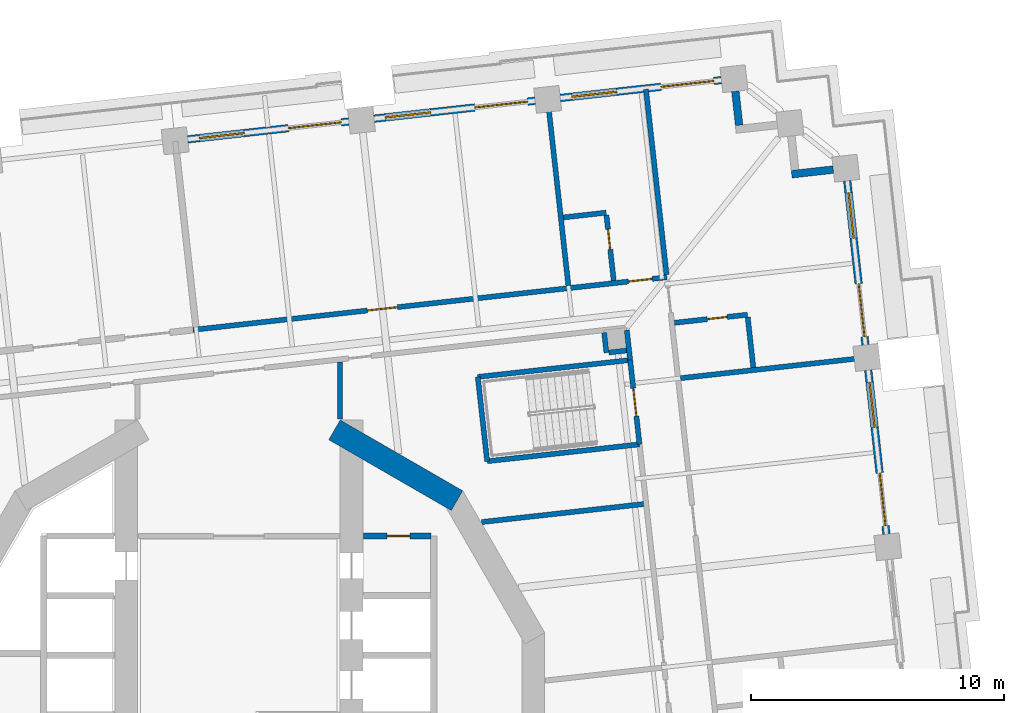
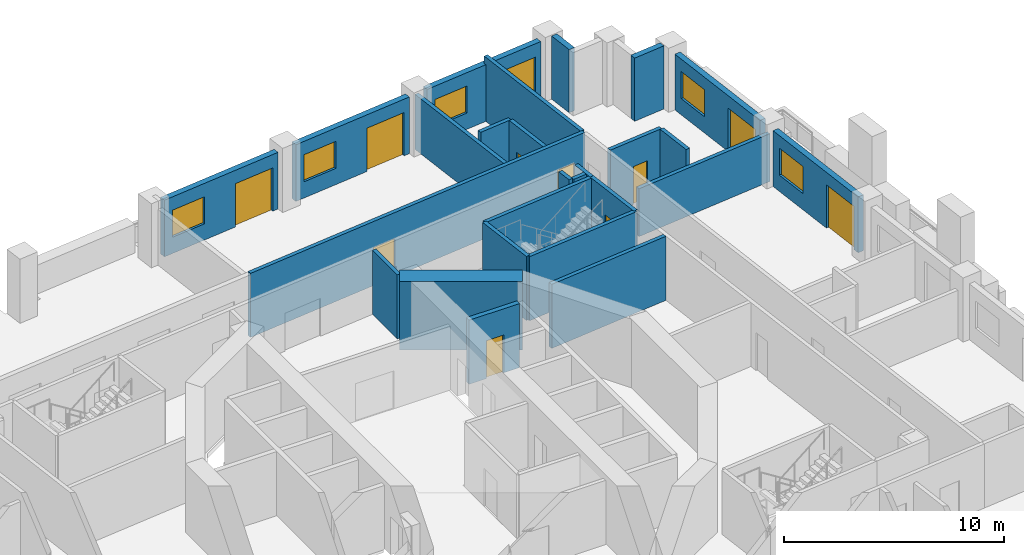
# One storey, part 9 of 19: 26 walls, 11 doors, 5 windows, 16 openings.
"""IFC4 building model written with IfcOpenShell, lengths in metres."""

from ifc_helpers import new_model, si_unit, direction, frame, frame_2d, origin, place, context, subcontext, project, spatial, rectangle, extrude, material, layer, layer_set, type_object, element, fill, save


model = new_model("IFC4")

# Units and contexts
model_context = context("Model", 3, precision=1e-05, world=origin(), true_north=direction((0.0, 1.0)))
body_context = subcontext(model_context, "Body", "Model", "MODEL_VIEW")
ifc_project = project(units=[si_unit("LENGTHUNIT", "METRE"), si_unit("AREAUNIT", "SQUARE_METRE"), si_unit("VOLUMEUNIT", "CUBIC_METRE"), si_unit("PLANEANGLEUNIT", "RADIAN"), si_unit("MASSUNIT", "GRAM", prefix="KILO")], contexts=[model_context])

# Site, building, storey
site_placement = place(None, origin())
site = spatial("IfcSite", under=ifc_project, at=site_placement, CompositionType="ELEMENT")
building_placement = place(site_placement, origin())
building = spatial("IfcBuilding", under=site, at=building_placement, Name="Cantera Rosa Tower", CompositionType="ELEMENT")
storey_placement = place(building_placement, frame((0.0, 0.0, 53.89990234375)))
storey = spatial("IfcBuildingStorey", under=building, at=storey_placement, Name="L10", CompositionType="ELEMENT", Elevation=53.89990234375)

# Walls
ifc_material_1 = material(Name="Gypsum board partition")
ifc_layer_1 = layer(ifc_material_1, 0.199951171875)
ifc_layer_set_1 = layer_set([ifc_layer_1], Name="CORRIDOR WALL 200 H3550")
wall_type_1 = type_object("IfcWallType", Name="CORRIDOR WALL 200 H3550", PredefinedType="PARTITIONING", material=ifc_layer_set_1)
wall_1_placement = place(storey_placement, frame((4.0, 11.667236328125, 0.0), z_axis=(0.0, 0.0, 1.0), x_axis=(0.0, 1.0, 0.0)))
element("IfcWall", 1, at=wall_1_placement, inside=storey, type_object=wall_type_1, Name="CORRIDOR WALL L10-060", PredefinedType="PARTITIONING", context=body_context, shape_type="SweptSolid", body=[
    extrude(rectangle(XDim=2.259765625, YDim=0.199951171875, at=frame_2d((1.1298828125, 0.0))), origin(), (0.0, 0.0, 1.0), 3.550048828125),
])
wall_2_placement = place(storey_placement, frame((15.44970703125, 14.001708984375, 0.0), z_axis=(0.0, 0.0, 1.0), x_axis=(-0.110341316069, 0.993893753863, 0.0)))
element("IfcWall", 2, at=wall_2_placement, inside=storey, type_object=wall_type_1, Name="CORRIDOR WALL L10-088", PredefinedType="PARTITIONING", context=body_context, shape_type="SweptSolid", body=[
    extrude(rectangle(XDim=1.188232421875, YDim=0.199951171875, at=frame_2d((0.59423828125, 0.0))), origin(), (0.0, 0.0, 1.0), 3.550048828125),
])

# Wall, openings, doors
wall_3_placement = place(storey_placement, frame((16.898193359375, 17.26953125, 0.0), z_axis=(0.0, 0.0, 1.0), x_axis=(-0.993896854699, -0.110313381866, 0.0)))
wall_3 = element("IfcWall", 3, at=wall_3_placement, inside=storey, type_object=wall_type_1, Name="CORRIDOR WALL L10-092", PredefinedType="PARTITIONING", context=body_context, shape_type="SweptSolid", body=[
    extrude(rectangle(XDim=18.8251953125, YDim=0.199951171875, at=frame_2d((9.41259765625, 0.0))), origin(), (0.0, 0.0, 1.0), 3.550048828125),
])
opening_1_placement = place(wall_3_placement, frame((10.699951171875, 0.0, 0.0)))
opening_1 = element("IfcOpeningElement", 4, at=opening_1_placement, cuts=wall_3, Name="Opening L10-025", PredefinedType="OPENING", context=body_context, shape_type="SweptSolid", body=[
    extrude(rectangle(XDim=1.199951171875, YDim=2.10009765625, at=frame_2d((0.60009765625, 1.050048828125))), frame((0.0, 0.10986328125, 0.0), z_axis=(0.0, -1.0, 0.0), x_axis=(1.0, 0.0, 0.0)), (0.0, 0.0, 1.0), 0.219970703125),
])
opening_2_placement = place(wall_3_placement, frame((0.574951171875, 0.0, 0.0)))
opening_2 = element("IfcOpeningElement", 5, at=opening_2_placement, cuts=wall_3, Name="Opening L10-026", PredefinedType="OPENING", context=body_context, shape_type="SweptSolid", body=[
    extrude(rectangle(XDim=0.949951171875, YDim=2.10009765625, at=frame_2d((0.47509765625, 1.050048828125))), frame((0.0, 0.10986328125, 0.0), z_axis=(0.0, -1.0, 0.0), x_axis=(1.0, 0.0, 0.0)), (0.0, 0.0, 1.0), 0.219970703125),
])
ifc_material_2 = material(Name="Timber door leaf", Category="wood")
door_type_1 = type_object("IfcDoorType", Name="ROOM DOOR 1200x2100", OperationType="NOTDEFINED", PredefinedType="DOOR", material=ifc_material_2)
door_1_placement = place(opening_1_placement, origin())
door_1 = element("IfcDoor", 6, at=door_1_placement, inside=storey, type_object=door_type_1, Name="DOOR L10-025", OperationType="NOTDEFINED", OverallHeight=2.10009765625, OverallWidth=1.199951171875, PredefinedType="DOOR", context=body_context, shape_type="SweptSolid", body=[
    extrude(rectangle(XDim=1.199951171875, YDim=2.10009765625, at=frame_2d((0.60009765625, 1.050048828125))), frame((0.0, 0.02490234375, 0.0), z_axis=(0.0, -1.0, 0.0), x_axis=(1.0, 0.0, 0.0)), (0.0, 0.0, 1.0), 0.050048828125),
])
fill(opening_1, door_1)
ifc_material_3 = material(Name="Timber door leaf", Category="wood")
door_type_2 = type_object("IfcDoorType", Name="ROOM DOOR 950x2100", OperationType="NOTDEFINED", PredefinedType="DOOR", material=ifc_material_3)
door_2_placement = place(opening_2_placement, origin())
door_2 = element("IfcDoor", 7, at=door_2_placement, inside=storey, type_object=door_type_2, Name="DOOR L10-026", OperationType="NOTDEFINED", OverallHeight=2.10009765625, OverallWidth=0.949951171875, PredefinedType="DOOR", context=body_context, shape_type="SweptSolid", body=[
    extrude(rectangle(XDim=0.949951171875, YDim=2.10009765625, at=frame_2d((0.47509765625, 1.050048828125))), frame((0.0, 0.02490234375, 0.0), z_axis=(0.0, -1.0, 0.0), x_axis=(1.0, 0.0, 0.0)), (0.0, 0.0, 1.0), 0.050048828125),
])
fill(opening_2, door_2)

# Walls
ifc_material_4 = material(Name="Hollow clay masonry with cantera stone cladding", Category="masonry")
ifc_layer_2 = layer(ifc_material_4, 0.300048828125)
ifc_layer_set_2 = layer_set([ifc_layer_2], Name="EW-LOGGIA 300")
wall_type_2 = type_object("IfcWallType", Name="EW-LOGGIA 300", PredefinedType="SOLIDWALL", material=ifc_layer_set_2)
wall_4_placement = place(storey_placement, frame((23.46923828125, 21.520263671875, 0.0), z_axis=(0.0, 0.0, 1.0), x_axis=(-0.993905369514, -0.110236638423, 0.0)))
element("IfcWall", 8, at=wall_4_placement, inside=storey, type_object=wall_type_2, Name="EN-L10-W06a", PredefinedType="SOLIDWALL", context=body_context, shape_type="SweptSolid", body=[
    extrude(rectangle(XDim=1.64990234375, YDim=0.300048828125, at=frame_2d((0.824951171875, 0.0))), origin(), (0.0, 0.0, 1.0), 3.5),
])
wall_5_placement = place(storey_placement, frame((19.75341796875, 23.27099609375, 0.0), z_axis=(0.0, 0.0, 1.0), x_axis=(-0.110312435488, 0.993896959738, 0.0)))
element("IfcWall", 9, at=wall_5_placement, inside=storey, type_object=wall_type_2, Name="EN-L10-W07b", PredefinedType="SOLIDWALL", context=body_context, shape_type="SweptSolid", body=[
    extrude(rectangle(XDim=1.35009765625, YDim=0.300048828125, at=frame_2d((0.675048828125, 0.0))), origin(), (0.0, 0.0, 1.0), 3.5),
])

# Wall, openings, window, door
ifc_material_5 = material(Name="Hollow clay masonry with cantera stone cladding", Category="masonry")
ifc_layer_3 = layer(ifc_material_5, 0.300048828125)
ifc_layer_set_3 = layer_set([ifc_layer_3], Name="EW-LOGGIA 300 H3090")
wall_type_3 = type_object("IfcWallType", Name="EW-LOGGIA 300 H3090", PredefinedType="SOLIDWALL", material=ifc_layer_set_3)
wall_6_placement = place(storey_placement, frame((25.570068359375, 7.124267578125, 0.0), z_axis=(0.0, 0.0, 1.0), x_axis=(-0.110312341265, 0.993896970196, 0.0)))
wall_6 = element("IfcWall", 10, at=wall_6_placement, inside=storey, type_object=wall_type_3, Name="EN-L10-W04", PredefinedType="SOLIDWALL", context=body_context, shape_type="SweptSolid", body=[
    extrude(rectangle(XDim=6.52001953125, YDim=0.300048828125, at=frame_2d((3.260009765625, 0.0))), origin(), (0.0, 0.0, 1.0), 3.090087890625),
])
opening_3_placement = place(wall_6_placement, frame((0.330078125, 0.0, 0.0)))
opening_3 = element("IfcOpeningElement", 11, at=opening_3_placement, cuts=wall_6, Name="Opening L10-TD07", PredefinedType="OPENING", context=body_context, shape_type="SweptSolid", body=[
    extrude(rectangle(XDim=2.10009765625, YDim=2.39990234375, at=frame_2d((1.050048828125, 1.199951171875))), frame((0.0, 0.159912109375, 0.0), z_axis=(0.0, -1.0, 0.0), x_axis=(1.0, 0.0, 0.0)), (0.0, 0.0, 1.0), 0.320068359375),
])
opening_4_placement = place(wall_6_placement, frame((4.239990234375, 0.0, 0.89990234375)))
opening_4 = element("IfcOpeningElement", 12, at=opening_4_placement, cuts=wall_6, Name="Opening L10-W08", PredefinedType="OPENING", context=body_context, shape_type="SweptSolid", body=[
    extrude(rectangle(XDim=1.800048828125, YDim=1.5, at=frame_2d((0.89990234375, 0.75))), frame((0.0, 0.159912109375, 0.0), z_axis=(0.0, -1.0, 0.0), x_axis=(1.0, 0.0, 0.0)), (0.0, 0.0, 1.0), 0.320068359375),
])
ifc_material_6 = material(Name="Aluminium frame with clear glass", Category="aluminium")
window_type = type_object("IfcWindowType", Name="Hotel room window 1800x1500", PartitioningType="DOUBLE_PANEL_VERTICAL", PredefinedType="WINDOW", material=ifc_material_6)
window_1_placement = place(opening_4_placement, origin())
window_1 = element("IfcWindow", 13, at=window_1_placement, inside=storey, type_object=window_type, Name="WINDOW L10-W08", OverallHeight=1.5, OverallWidth=1.800048828125, PartitioningType="SINGLE_PANEL", PredefinedType="WINDOW", context=body_context, shape_type="SweptSolid", body=[
    extrude(rectangle(XDim=1.800048828125, YDim=1.5, at=frame_2d((0.89990234375, 0.75))), frame((0.0, 0.030029296875, 0.0), z_axis=(0.0, -1.0, 0.0), x_axis=(1.0, 0.0, 0.0)), (0.0, 0.0, 1.0), 0.06005859375),
])
fill(opening_4, window_1)
ifc_material_7 = material(Name="Aluminium frame with clear glass", Category="aluminium")
door_type_3 = type_object("IfcDoorType", Name="TD-H 2100x2400", OperationType="NOTDEFINED", PredefinedType="DOOR", material=ifc_material_7)
door_3_placement = place(opening_3_placement, origin())
door_3 = element("IfcDoor", 14, at=door_3_placement, inside=storey, type_object=door_type_3, Name="LOGGIA DOOR L10-TD07", OperationType="SLIDING_TO_LEFT", OverallHeight=2.39990234375, OverallWidth=2.10009765625, PredefinedType="DOOR", context=body_context, shape_type="SweptSolid", body=[
    extrude(rectangle(XDim=2.10009765625, YDim=2.39990234375, at=frame_2d((1.050048828125, 1.199951171875))), frame((0.0, 0.02490234375, 0.0), z_axis=(0.0, -1.0, 0.0), x_axis=(1.0, 0.0, 0.0)), (0.0, 0.0, 1.0), 0.050048828125),
])
fill(opening_3, door_3)

wall_7_placement = place(storey_placement, frame((24.74072265625, 14.598388671875, 0.0), z_axis=(0.0, 0.0, 1.0), x_axis=(-0.110312341265, 0.993896970196, 0.0)))
wall_7 = element("IfcWall", 15, at=wall_7_placement, inside=storey, type_object=wall_type_3, Name="EN-L10-W05", PredefinedType="SOLIDWALL", context=body_context, shape_type="SweptSolid", body=[
    extrude(rectangle(XDim=6.52001953125, YDim=0.300048828125, at=frame_2d((3.260009765625, 0.0))), origin(), (0.0, 0.0, 1.0), 3.090087890625),
])
opening_5_placement = place(wall_7_placement, frame((0.330078125, 0.0, 0.0)))
opening_5 = element("IfcOpeningElement", 16, at=opening_5_placement, cuts=wall_7, Name="Opening L10-TD09", PredefinedType="OPENING", context=body_context, shape_type="SweptSolid", body=[
    extrude(rectangle(XDim=2.10009765625, YDim=2.39990234375, at=frame_2d((1.050048828125, 1.199951171875))), frame((0.0, 0.159912109375, 0.0), z_axis=(0.0, -1.0, 0.0), x_axis=(1.0, 0.0, 0.0)), (0.0, 0.0, 1.0), 0.320068359375),
])
opening_6_placement = place(wall_7_placement, frame((4.239990234375, 0.0, 0.89990234375)))
opening_6 = element("IfcOpeningElement", 17, at=opening_6_placement, cuts=wall_7, Name="Opening L10-W10", PredefinedType="OPENING", context=body_context, shape_type="SweptSolid", body=[
    extrude(rectangle(XDim=1.800048828125, YDim=1.5, at=frame_2d((0.89990234375, 0.75))), frame((0.0, 0.159912109375, 0.0), z_axis=(0.0, -1.0, 0.0), x_axis=(1.0, 0.0, 0.0)), (0.0, 0.0, 1.0), 0.320068359375),
])
window_2_placement = place(opening_6_placement, origin())
window_2 = element("IfcWindow", 18, at=window_2_placement, inside=storey, type_object=window_type, Name="WINDOW L10-W10", OverallHeight=1.5, OverallWidth=1.800048828125, PartitioningType="SINGLE_PANEL", PredefinedType="WINDOW", context=body_context, shape_type="SweptSolid", body=[
    extrude(rectangle(XDim=1.800048828125, YDim=1.5, at=frame_2d((0.89990234375, 0.75))), frame((0.0, 0.030029296875, 0.0), z_axis=(0.0, -1.0, 0.0), x_axis=(1.0, 0.0, 0.0)), (0.0, 0.0, 1.0), 0.06005859375),
])
fill(opening_6, window_2)
door_4_placement = place(opening_5_placement, origin())
door_4 = element("IfcDoor", 19, at=door_4_placement, inside=storey, type_object=door_type_3, Name="LOGGIA DOOR L10-TD09", OperationType="SLIDING_TO_LEFT", OverallHeight=2.39990234375, OverallWidth=2.10009765625, PredefinedType="DOOR", context=body_context, shape_type="SweptSolid", body=[
    extrude(rectangle(XDim=2.10009765625, YDim=2.39990234375, at=frame_2d((1.050048828125, 1.199951171875))), frame((0.0, 0.02490234375, 0.0), z_axis=(0.0, -1.0, 0.0), x_axis=(1.0, 0.0, 0.0)), (0.0, 0.0, 1.0), 0.050048828125),
])
fill(opening_5, door_4)

ifc_material_8 = material(Name="Hollow clay masonry with cantera stone cladding", Category="masonry")
ifc_layer_4 = layer(ifc_material_8, 0.300048828125)
ifc_layer_set_4 = layer_set([ifc_layer_4], Name="EW-LOGGIA 300 H3140")
wall_type_4 = type_object("IfcWallType", Name="EW-LOGGIA 300 H3140", PredefinedType="SOLIDWALL", material=ifc_layer_set_4)
wall_8_placement = place(storey_placement, frame((19.052490234375, 25.0546875, 0.0), z_axis=(0.0, 0.0, 1.0), x_axis=(-0.993896288542, -0.110318482689, 0.0)))
wall_8 = element("IfcWall", 20, at=wall_8_placement, inside=storey, type_object=wall_type_4, Name="EN-L10-W08", PredefinedType="SOLIDWALL", context=body_context, shape_type="SweptSolid", body=[
    extrude(rectangle(XDim=6.400146484375, YDim=0.300048828125, at=frame_2d((3.2001953125, 0.0))), origin(), (0.0, 0.0, 1.0), 3.14013671875),
])
opening_7_placement = place(wall_8_placement, frame((0.300048828125, 0.0, 0.0)))
opening_7 = element("IfcOpeningElement", 21, at=opening_7_placement, cuts=wall_8, Name="Opening L10-TD11", PredefinedType="OPENING", context=body_context, shape_type="SweptSolid", body=[
    extrude(rectangle(XDim=2.10009765625, YDim=2.39990234375, at=frame_2d((1.050048828125, 1.199951171875))), frame((0.0, 0.159912109375, 0.0), z_axis=(0.0, -1.0, 0.0), x_axis=(1.0, 0.0, 0.0)), (0.0, 0.0, 1.0), 0.320068359375),
])
opening_8_placement = place(wall_8_placement, frame((4.14990234375, 0.0, 0.89990234375)))
opening_8 = element("IfcOpeningElement", 22, at=opening_8_placement, cuts=wall_8, Name="Opening L10-W12", PredefinedType="OPENING", context=body_context, shape_type="SweptSolid", body=[
    extrude(rectangle(XDim=1.800048828125, YDim=1.5, at=frame_2d((0.89990234375, 0.75))), frame((0.0, 0.159912109375, 0.0), z_axis=(0.0, -1.0, 0.0), x_axis=(1.0, 0.0, 0.0)), (0.0, 0.0, 1.0), 0.320068359375),
])
window_3_placement = place(opening_8_placement, origin())
window_3 = element("IfcWindow", 23, at=window_3_placement, inside=storey, type_object=window_type, Name="WINDOW L10-W12", OverallHeight=1.5, OverallWidth=1.800048828125, PartitioningType="SINGLE_PANEL", PredefinedType="WINDOW", context=body_context, shape_type="SweptSolid", body=[
    extrude(rectangle(XDim=1.800048828125, YDim=1.5, at=frame_2d((0.89990234375, 0.75))), frame((0.0, 0.030029296875, 0.0), z_axis=(0.0, -1.0, 0.0), x_axis=(1.0, 0.0, 0.0)), (0.0, 0.0, 1.0), 0.06005859375),
])
fill(opening_8, window_3)
door_5_placement = place(opening_7_placement, origin())
door_5 = element("IfcDoor", 24, at=door_5_placement, inside=storey, type_object=door_type_3, Name="LOGGIA DOOR L10-TD11", OperationType="SLIDING_TO_LEFT", OverallHeight=2.39990234375, OverallWidth=2.10009765625, PredefinedType="DOOR", context=body_context, shape_type="SweptSolid", body=[
    extrude(rectangle(XDim=2.10009765625, YDim=2.39990234375, at=frame_2d((1.050048828125, 1.199951171875))), frame((0.0, 0.02490234375, 0.0), z_axis=(0.0, -1.0, 0.0), x_axis=(1.0, 0.0, 0.0)), (0.0, 0.0, 1.0), 0.050048828125),
])
fill(opening_7, door_5)

wall_9_placement = place(storey_placement, frame((11.697509765625, 24.23828125, 0.0), z_axis=(0.0, 0.0, 1.0), x_axis=(-0.993895824271, -0.110322665379, 0.0)))
wall_9 = element("IfcWall", 25, at=wall_9_placement, inside=storey, type_object=wall_type_4, Name="EN-L10-W09", PredefinedType="SOLIDWALL", context=body_context, shape_type="SweptSolid", body=[
    extrude(rectangle(XDim=6.39990234375, YDim=0.300048828125, at=frame_2d((3.199951171875, 0.0))), origin(), (0.0, 0.0, 1.0), 3.14013671875),
])
opening_9_placement = place(wall_9_placement, frame((0.300048828125, 0.0, 0.0)))
opening_9 = element("IfcOpeningElement", 26, at=opening_9_placement, cuts=wall_9, Name="Opening L10-TD13", PredefinedType="OPENING", context=body_context, shape_type="SweptSolid", body=[
    extrude(rectangle(XDim=2.10009765625, YDim=2.39990234375, at=frame_2d((1.050048828125, 1.199951171875))), frame((0.0, 0.159912109375, 0.0), z_axis=(0.0, -1.0, 0.0), x_axis=(1.0, 0.0, 0.0)), (0.0, 0.0, 1.0), 0.320068359375),
])
opening_10_placement = place(wall_9_placement, frame((4.14990234375, 0.0, 0.89990234375)))
opening_10 = element("IfcOpeningElement", 27, at=opening_10_placement, cuts=wall_9, Name="Opening L10-W14", PredefinedType="OPENING", context=body_context, shape_type="SweptSolid", body=[
    extrude(rectangle(XDim=1.800048828125, YDim=1.5, at=frame_2d((0.89990234375, 0.75))), frame((0.0, 0.159912109375, 0.0), z_axis=(0.0, -1.0, 0.0), x_axis=(1.0, 0.0, 0.0)), (0.0, 0.0, 1.0), 0.320068359375),
])
window_4_placement = place(opening_10_placement, origin())
window_4 = element("IfcWindow", 28, at=window_4_placement, inside=storey, type_object=window_type, Name="WINDOW L10-W14", OverallHeight=1.5, OverallWidth=1.800048828125, PartitioningType="SINGLE_PANEL", PredefinedType="WINDOW", context=body_context, shape_type="SweptSolid", body=[
    extrude(rectangle(XDim=1.800048828125, YDim=1.5, at=frame_2d((0.89990234375, 0.75))), frame((0.0, 0.030029296875, 0.0), z_axis=(0.0, -1.0, 0.0), x_axis=(1.0, 0.0, 0.0)), (0.0, 0.0, 1.0), 0.06005859375),
])
fill(opening_10, window_4)
door_6_placement = place(opening_9_placement, origin())
door_6 = element("IfcDoor", 29, at=door_6_placement, inside=storey, type_object=door_type_3, Name="LOGGIA DOOR L10-TD13", OperationType="SLIDING_TO_LEFT", OverallHeight=2.39990234375, OverallWidth=2.10009765625, PredefinedType="DOOR", context=body_context, shape_type="SweptSolid", body=[
    extrude(rectangle(XDim=2.10009765625, YDim=2.39990234375, at=frame_2d((1.050048828125, 1.199951171875))), frame((0.0, 0.02490234375, 0.0), z_axis=(0.0, -1.0, 0.0), x_axis=(1.0, 0.0, 0.0)), (0.0, 0.0, 1.0), 0.050048828125),
])
fill(opening_9, door_6)

wall_10_placement = place(storey_placement, frame((4.3427734375, 23.422119140625, 0.0), z_axis=(0.0, 0.0, 1.0), x_axis=(-0.993895824271, -0.110322665379, 0.0)))
wall_10 = element("IfcWall", 30, at=wall_10_placement, inside=storey, type_object=wall_type_4, Name="EN-L10-W10", PredefinedType="SOLIDWALL", context=body_context, shape_type="SweptSolid", body=[
    extrude(rectangle(XDim=6.39990234375, YDim=0.300048828125, at=frame_2d((3.199951171875, 0.0))), origin(), (0.0, 0.0, 1.0), 3.14013671875),
])
opening_11_placement = place(wall_10_placement, frame((0.300048828125, 0.0, 0.0)))
opening_11 = element("IfcOpeningElement", 31, at=opening_11_placement, cuts=wall_10, Name="Opening L10-TD15", PredefinedType="OPENING", context=body_context, shape_type="SweptSolid", body=[
    extrude(rectangle(XDim=2.10009765625, YDim=2.39990234375, at=frame_2d((1.050048828125, 1.199951171875))), frame((0.0, 0.159912109375, 0.0), z_axis=(0.0, -1.0, 0.0), x_axis=(1.0, 0.0, 0.0)), (0.0, 0.0, 1.0), 0.320068359375),
])
opening_12_placement = place(wall_10_placement, frame((4.14990234375, 0.0, 0.89990234375)))
opening_12 = element("IfcOpeningElement", 32, at=opening_12_placement, cuts=wall_10, Name="Opening L10-W16", PredefinedType="OPENING", context=body_context, shape_type="SweptSolid", body=[
    extrude(rectangle(XDim=1.800048828125, YDim=1.5, at=frame_2d((0.89990234375, 0.75))), frame((0.0, 0.159912109375, 0.0), z_axis=(0.0, -1.0, 0.0), x_axis=(1.0, 0.0, 0.0)), (0.0, 0.0, 1.0), 0.320068359375),
])
window_5_placement = place(opening_12_placement, origin())
window_5 = element("IfcWindow", 33, at=window_5_placement, inside=storey, type_object=window_type, Name="WINDOW L10-W16", OverallHeight=1.5, OverallWidth=1.800048828125, PartitioningType="SINGLE_PANEL", PredefinedType="WINDOW", context=body_context, shape_type="SweptSolid", body=[
    extrude(rectangle(XDim=1.800048828125, YDim=1.5, at=frame_2d((0.89990234375, 0.75))), frame((0.0, 0.030029296875, 0.0), z_axis=(0.0, -1.0, 0.0), x_axis=(1.0, 0.0, 0.0)), (0.0, 0.0, 1.0), 0.06005859375),
])
fill(opening_12, window_5)
door_7_placement = place(opening_11_placement, origin())
door_7 = element("IfcDoor", 34, at=door_7_placement, inside=storey, type_object=door_type_3, Name="LOGGIA DOOR L10-TD15", OperationType="SLIDING_TO_LEFT", OverallHeight=2.39990234375, OverallWidth=2.10009765625, PredefinedType="DOOR", context=body_context, shape_type="SweptSolid", body=[
    extrude(rectangle(XDim=2.10009765625, YDim=2.39990234375, at=frame_2d((1.050048828125, 1.199951171875))), frame((0.0, 0.02490234375, 0.0), z_axis=(0.0, -1.0, 0.0), x_axis=(1.0, 0.0, 0.0)), (0.0, 0.0, 1.0), 0.050048828125),
])
fill(opening_11, door_7)

# Walls
ifc_material_9 = material(Name="Gypsum board partition")
ifc_layer_5 = layer(ifc_material_9, 0.199951171875)
ifc_layer_set_5 = layer_set([ifc_layer_5], Name="PARTITION 200 H3550")
wall_type_5 = type_object("IfcWallType", Name="PARTITION 200 H3550", PredefinedType="PARTITIONING", material=ifc_layer_set_5)
wall_11_placement = place(storey_placement, frame((9.58642578125, 7.60400390625, 0.0), z_axis=(0.0, 0.0, 1.0), x_axis=(0.993896223863, 0.110319065398, 0.0)))
element("IfcWall", 35, at=wall_11_placement, inside=storey, type_object=wall_type_5, Name="PARTITION L10-072", PredefinedType="PARTITIONING", context=body_context, shape_type="SweptSolid", body=[
    extrude(rectangle(XDim=6.433349609375, YDim=0.199951171875, at=frame_2d((3.216796875, 0.0))), origin(), (0.0, 0.0, 1.0), 3.550048828125),
])
wall_12_placement = place(storey_placement, frame((12.8125, 19.63330078125, 0.0), z_axis=(0.0, 0.0, 1.0), x_axis=(0.993897739047, 0.110305413813, 0.0)))
element("IfcWall", 36, at=wall_12_placement, inside=storey, type_object=wall_type_5, Name="PARTITION L10-075", PredefinedType="PARTITIONING", context=body_context, shape_type="SweptSolid", body=[
    extrude(rectangle(XDim=1.69970703125, YDim=0.199951171875, at=frame_2d((0.849853515625, 0.0))), origin(), (0.0, 0.0, 1.0), 3.550048828125),
])
wall_13_placement = place(storey_placement, frame((14.42431640625, 15.083251953125, 0.0), z_axis=(0.0, 0.0, 1.0), x_axis=(0.110163574714, -0.993913470482, 0.0)))
element("IfcWall", 37, at=wall_13_placement, inside=storey, type_object=wall_type_5, Name="PARTITION L10-078", PredefinedType="PARTITIONING", context=body_context, shape_type="SweptSolid", body=[
    extrude(rectangle(XDim=0.800048828125, YDim=0.199951171875, at=frame_2d((0.39990234375, 0.0))), origin(), (0.0, 0.0, 1.0), 3.550048828125),
])

# Wall, opening, door
wall_14_placement = place(storey_placement, frame((14.51318359375, 19.72119140625, 0.0), z_axis=(0.0, 0.0, 1.0), x_axis=(0.110246001939, -0.993904330938, 0.0)))
wall_14 = element("IfcWall", 38, at=wall_14_placement, inside=storey, type_object=wall_type_5, Name="PARTITION L10-079", PredefinedType="PARTITIONING", context=body_context, shape_type="SweptSolid", body=[
    extrude(rectangle(XDim=2.599853515625, YDim=0.199951171875, at=frame_2d((1.2998046875, 0.0))), origin(), (0.0, 0.0, 1.0), 3.550048828125),
])
opening_13_placement = place(wall_14_placement, frame((0.56396484375, 0.0, 0.0)))
opening_13 = element("IfcOpeningElement", 39, at=opening_13_placement, cuts=wall_14, Name="Opening L10-027", PredefinedType="OPENING", context=body_context, shape_type="SweptSolid", body=[
    extrude(rectangle(XDim=0.800048828125, YDim=2.10009765625, at=frame_2d((0.39990234375, 1.050048828125))), frame((0.0, 0.10986328125, 0.0), z_axis=(0.0, -1.0, 0.0), x_axis=(1.0, 0.0, 0.0)), (0.0, 0.0, 1.0), 0.219970703125),
])
ifc_material_10 = material(Name="Timber door leaf", Category="wood")
door_type_4 = type_object("IfcDoorType", Name="BATHROOM DOOR 800x2100", OperationType="NOTDEFINED", PredefinedType="DOOR", material=ifc_material_10)
door_8_placement = place(opening_13_placement, origin())
door_8 = element("IfcDoor", 40, at=door_8_placement, inside=storey, type_object=door_type_4, Name="DOOR L10-027", OperationType="NOTDEFINED", OverallHeight=2.10009765625, OverallWidth=0.800048828125, PredefinedType="DOOR", context=body_context, shape_type="SweptSolid", body=[
    extrude(rectangle(XDim=0.800048828125, YDim=2.10009765625, at=frame_2d((0.39990234375, 1.050048828125))), frame((0.0, 0.02490234375, 0.0), z_axis=(0.0, -1.0, 0.0), x_axis=(1.0, 0.0, 0.0)), (0.0, 0.0, 1.0), 0.050048828125),
])
fill(opening_13, door_8)

# Wall
wall_15_placement = place(storey_placement, frame((14.61181640625, 14.299072265625, 0.0), z_axis=(0.0, 0.0, 1.0), x_axis=(0.993870969748, 0.110546349969, 0.0)))
element("IfcWall", 41, at=wall_15_placement, inside=storey, type_object=wall_type_5, Name="PARTITION L10-081", PredefinedType="PARTITIONING", context=body_context, shape_type="SweptSolid", body=[
    extrude(rectangle(XDim=0.7001953125, YDim=0.199951171875, at=frame_2d((0.35009765625, 0.0))), origin(), (0.0, 0.0, 1.0), 3.550048828125),
])

# Wall, opening, door
wall_16_placement = place(storey_placement, frame((17.1982421875, 15.4716796875, 0.0), z_axis=(0.0, 0.0, 1.0), x_axis=(0.993900150219, 0.110283685989, 0.0)))
wall_16 = element("IfcWall", 42, at=wall_16_placement, inside=storey, type_object=wall_type_5, Name="PARTITION L10-095", PredefinedType="PARTITIONING", context=body_context, shape_type="SweptSolid", body=[
    extrude(rectangle(XDim=2.89990234375, YDim=0.199951171875, at=frame_2d((1.449951171875, 0.0))), origin(), (0.0, 0.0, 1.0), 3.550048828125),
])
opening_14_placement = place(wall_16_placement, frame((1.300048828125, 0.0, 0.0)))
opening_14 = element("IfcOpeningElement", 43, at=opening_14_placement, cuts=wall_16, Name="Opening L10-024", PredefinedType="OPENING", context=body_context, shape_type="SweptSolid", body=[
    extrude(rectangle(XDim=0.800048828125, YDim=2.10009765625, at=frame_2d((0.39990234375, 1.050048828125))), frame((0.0, 0.10986328125, 0.0), z_axis=(0.0, -1.0, 0.0), x_axis=(1.0, 0.0, 0.0)), (0.0, 0.0, 1.0), 0.219970703125),
])
door_9_placement = place(opening_14_placement, origin())
door_9 = element("IfcDoor", 44, at=door_9_placement, inside=storey, type_object=door_type_4, Name="DOOR L10-024", OperationType="NOTDEFINED", OverallHeight=2.10009765625, OverallWidth=0.800048828125, PredefinedType="DOOR", context=body_context, shape_type="SweptSolid", body=[
    extrude(rectangle(XDim=0.800048828125, YDim=2.10009765625, at=frame_2d((0.39990234375, 1.050048828125))), frame((0.0, 0.02490234375, 0.0), z_axis=(0.0, -1.0, 0.0), x_axis=(1.0, 0.0, 0.0)), (0.0, 0.0, 1.0), 0.050048828125),
])
fill(opening_14, door_9)

# Walls
wall_17_placement = place(storey_placement, frame((20.091552734375, 15.692138671875, 0.0), z_axis=(0.0, 0.0, 1.0), x_axis=(0.110351138256, -0.993892663362, 0.0)))
element("IfcWall", 45, at=wall_17_placement, inside=storey, type_object=wall_type_5, Name="PARTITION L10-103", PredefinedType="PARTITIONING", context=body_context, shape_type="SweptSolid", body=[
    extrude(rectangle(XDim=2.0, YDim=0.199951171875, at=frame_2d((1.0, 0.0))), origin(), (0.0, 0.0, 1.0), 3.550048828125),
])
ifc_material_11 = material(Name="Gypsum board partition")
ifc_layer_6 = layer(ifc_material_11, 0.199951171875)
ifc_layer_set_6 = layer_set([ifc_layer_6], Name="PARTY WALL 200 H2650")
wall_type_6 = type_object("IfcWallType", Name="PARTY WALL 200 H2650", PredefinedType="PARTITIONING", material=ifc_layer_set_6)
wall_18_placement = place(storey_placement, frame((17.44091796875, 13.284912109375, 0.0), z_axis=(0.0, 0.0, 1.0), x_axis=(0.993897461949, 0.110307910555, 0.0)))
element("IfcWall", 46, at=wall_18_placement, inside=storey, type_object=wall_type_6, Name="PARTY WALL L10-097", PredefinedType="PARTITIONING", context=body_context, shape_type="SweptSolid", body=[
    extrude(rectangle(XDim=7.3701171875, YDim=0.199951171875, at=frame_2d((3.68505859375, 0.0))), origin(), (0.0, 0.0, 1.0), 2.650146484375),
])
ifc_material_12 = material(Name="Gypsum board partition")
ifc_layer_7 = layer(ifc_material_12, 0.199951171875)
ifc_layer_set_7 = layer_set([ifc_layer_7], Name="PARTY WALL 200 H3050")
wall_type_7 = type_object("IfcWallType", Name="PARTY WALL 200 H3050", PredefinedType="PARTITIONING", material=ifc_layer_set_7)
wall_19_placement = place(storey_placement, frame((13.010986328125, 16.938720703125, 0.0), z_axis=(0.0, 0.0, 1.0), x_axis=(-0.11031154238, 0.993897058864, 0.0)))
element("IfcWall", 47, at=wall_19_placement, inside=storey, type_object=wall_type_7, Name="PARTY WALL L10-077", PredefinedType="PARTITIONING", context=body_context, shape_type="SweptSolid", body=[
    extrude(rectangle(XDim=7.369873046875, YDim=0.199951171875, at=frame_2d((3.68505859375, 0.0))), origin(), (0.0, 0.0, 1.0), 3.050048828125),
])
ifc_material_13 = material(Name="Gypsum board partition")
ifc_layer_8 = layer(ifc_material_13, 0.199951171875)
ifc_layer_set_8 = layer_set([ifc_layer_8], Name="PARTY WALL 200 H3550")
wall_type_8 = type_object("IfcWallType", Name="PARTY WALL 200 H3550", PredefinedType="PARTITIONING", material=ifc_layer_set_8)
wall_20_placement = place(storey_placement, frame((16.88720703125, 17.368896484375, 0.0), z_axis=(0.0, 0.0, 1.0), x_axis=(-0.11031154238, 0.993897058864, 0.0)))
element("IfcWall", 48, at=wall_20_placement, inside=storey, type_object=wall_type_8, Name="PARTY WALL L10-094", PredefinedType="PARTITIONING", context=body_context, shape_type="SweptSolid", body=[
    extrude(rectangle(XDim=7.369873046875, YDim=0.199951171875, at=frame_2d((3.68505859375, 0.0))), origin(), (0.0, 0.0, 1.0), 3.550048828125),
])
ifc_material_14 = material(Name="Concrete C70/85", Category="concrete")
ifc_layer_9 = layer(ifc_material_14, 0.89990234375)
ifc_layer_set_9 = layer_set([ifc_layer_9], Name="RC CORE WALL 900 C70/85")
wall_type_9 = type_object("IfcWallType", Name="RC CORE WALL 900 C70/85", PredefinedType="SHEAR", material=ifc_layer_set_9)
wall_21_placement = place(storey_placement, frame((3.77490234375, 11.242919921875, 0.0), z_axis=(0.0, 0.0, 1.0), x_axis=(0.866026961591, -0.49999730179, 0.0)))
element("IfcWall", 49, at=wall_21_placement, inside=storey, type_object=wall_type_9, Name="CW-E1 L10", PredefinedType="SHEAR", context=body_context, shape_type="SweptSolid", body=[
    extrude(rectangle(XDim=5.58740234375, YDim=0.89990234375, at=frame_2d((2.793701171875, 0.0))), origin(), (0.0, 0.0, 1.0), 3.800048828125),
])

# Wall, opening, door
ifc_material_15 = material(Name="Masonry blockwork", Category="masonry")
ifc_layer_10 = layer(ifc_material_15, 0.25)
ifc_layer_set_10 = layer_set([ifc_layer_10], Name="SHAFT WALL 250 H3550")
wall_type_10 = type_object("IfcWallType", Name="SHAFT WALL 250 H3550", PredefinedType="SOLIDWALL", material=ifc_layer_set_10)
wall_22_placement = place(storey_placement, frame((7.580078125, 7.050048828125, 0.0), z_axis=(0.0, 0.0, 1.0), x_axis=(-1.0, 0.0, 0.0)))
wall_22 = element("IfcWall", 50, at=wall_22_placement, inside=storey, type_object=wall_type_10, Name="SHAFT WALL L10-068", PredefinedType="SOLIDWALL", context=body_context, shape_type="SweptSolid", body=[
    extrude(rectangle(XDim=2.650146484375, YDim=0.25, at=frame_2d((1.3251953125, 0.0))), origin(), (0.0, 0.0, 1.0), 3.550048828125),
])
opening_15_placement = place(wall_22_placement, frame((0.830078125, 0.0, 0.0)))
opening_15 = element("IfcOpeningElement", 51, at=opening_15_placement, cuts=wall_22, Name="Opening L10-049", PredefinedType="OPENING", context=body_context, shape_type="SweptSolid", body=[
    extrude(rectangle(XDim=0.89990234375, YDim=2.10009765625, at=frame_2d((0.449951171875, 1.050048828125))), frame((0.0, 0.135009765625, 0.0), z_axis=(0.0, -1.0, 0.0), x_axis=(1.0, 0.0, 0.0)), (0.0, 0.0, 1.0), 0.27001953125),
])
ifc_material_16 = material(Name="Timber door leaf", Category="wood")
door_type_5 = type_object("IfcDoorType", Name="SERVICE DOOR 900x2100", OperationType="NOTDEFINED", PredefinedType="DOOR", material=ifc_material_16)
door_10_placement = place(opening_15_placement, origin())
door_10 = element("IfcDoor", 52, at=door_10_placement, inside=storey, type_object=door_type_5, Name="RISER DOOR L10-049", OperationType="NOTDEFINED", OverallHeight=2.10009765625, OverallWidth=0.89990234375, PredefinedType="DOOR", context=body_context, shape_type="SweptSolid", body=[
    extrude(rectangle(XDim=0.89990234375, YDim=2.10009765625, at=frame_2d((0.449951171875, 1.050048828125))), frame((0.0, 0.02490234375, 0.0), z_axis=(0.0, -1.0, 0.0), x_axis=(1.0, 0.0, 0.0)), (0.0, 0.0, 1.0), 0.050048828125),
])
fill(opening_15, door_10)

# Walls
ifc_material_17 = material(Name="Concrete C50/60", Category="concrete")
ifc_layer_11 = layer(ifc_material_17, 0.199951171875)
ifc_layer_set_11 = layer_set([ifc_layer_11], Name="STAIR WALL 200 H3550")
wall_type_11 = type_object("IfcWallType", Name="STAIR WALL 200 H3550", PredefinedType="SOLIDWALL", material=ifc_layer_set_11)
wall_23_placement = place(storey_placement, frame((9.43359375, 13.333740234375, 0.0), z_axis=(0.0, 0.0, 1.0), x_axis=(0.11027153821, -0.993901498067, 0.0)))
element("IfcWall", 53, at=wall_23_placement, inside=storey, type_object=wall_type_11, Name="STAIR WALL L10-071", PredefinedType="SOLIDWALL", context=body_context, shape_type="SweptSolid", body=[
    extrude(rectangle(XDim=3.349853515625, YDim=0.199951171875, at=frame_2d((1.6748046875, 0.0))), origin(), (0.0, 0.0, 1.0), 3.550048828125),
])
wall_24_placement = place(storey_placement, frame((9.802978515625, 10.00439453125, 0.0), z_axis=(0.0, 0.0, 1.0), x_axis=(0.993897498792, 0.11030757859, 0.0)))
element("IfcWall", 54, at=wall_24_placement, inside=storey, type_object=wall_type_11, Name="STAIR WALL L10-073", PredefinedType="SOLIDWALL", context=body_context, shape_type="SweptSolid", body=[
    extrude(rectangle(XDim=6.05322265625, YDim=0.199951171875, at=frame_2d((3.026611328125, 0.0))), origin(), (0.0, 0.0, 1.0), 3.550048828125),
])
wall_25_placement = place(storey_placement, frame((15.44970703125, 14.001708984375, 0.0), z_axis=(0.0, 0.0, 1.0), x_axis=(-0.993892585125, -0.110351842907, 0.0)))
element("IfcWall", 55, at=wall_25_placement, inside=storey, type_object=wall_type_11, Name="STAIR WALL L10-087", PredefinedType="SOLIDWALL", context=body_context, shape_type="SweptSolid", body=[
    extrude(rectangle(XDim=6.052978515625, YDim=0.199951171875, at=frame_2d((3.0263671875, 0.0))), origin(), (0.0, 0.0, 1.0), 3.550048828125),
])

# Wall, opening, door
wall_26_placement = place(storey_placement, frame((15.8193359375, 10.672119140625, 0.0), z_axis=(0.0, 0.0, 1.0), x_axis=(-0.110335541424, 0.993894394943, 0.0)))
wall_26 = element("IfcWall", 56, at=wall_26_placement, inside=storey, type_object=wall_type_11, Name="STAIR WALL L10-089", PredefinedType="SOLIDWALL", context=body_context, shape_type="SweptSolid", body=[
    extrude(rectangle(XDim=3.35009765625, YDim=0.199951171875, at=frame_2d((1.675048828125, 0.0))), origin(), (0.0, 0.0, 1.0), 3.550048828125),
])
opening_16_placement = place(wall_26_placement, frame((1.125, 0.0, 0.0)))
opening_16 = element("IfcOpeningElement", 57, at=opening_16_placement, cuts=wall_26, Name="Opening L10-001", PredefinedType="OPENING", context=body_context, shape_type="SweptSolid", body=[
    extrude(rectangle(XDim=1.10009765625, YDim=2.10009765625, at=frame_2d((0.550048828125, 1.050048828125))), frame((0.0, 0.10986328125, 0.0), z_axis=(0.0, -1.0, 0.0), x_axis=(1.0, 0.0, 0.0)), (0.0, 0.0, 1.0), 0.219970703125),
])
ifc_material_18 = material(Name="Steel S355J2 (EN 10025-2)", Category="steel")
door_type_6 = type_object("IfcDoorType", Name="STAIR DOOR 1100x2100", OperationType="NOTDEFINED", PredefinedType="DOOR", material=ifc_material_18)
door_11_placement = place(opening_16_placement, origin())
door_11 = element("IfcDoor", 58, at=door_11_placement, inside=storey, type_object=door_type_6, Name="DOOR L10-001", OperationType="NOTDEFINED", OverallHeight=2.10009765625, OverallWidth=1.10009765625, PredefinedType="DOOR", context=body_context, shape_type="SweptSolid", body=[
    extrude(rectangle(XDim=1.10009765625, YDim=2.10009765625, at=frame_2d((0.550048828125, 1.050048828125))), frame((0.0, 0.02490234375, 0.0), z_axis=(0.0, -1.0, 0.0), x_axis=(1.0, 0.0, 0.0)), (0.0, 0.0, 1.0), 0.050048828125),
])
fill(opening_16, door_11)

save(model, "model.ifc")
